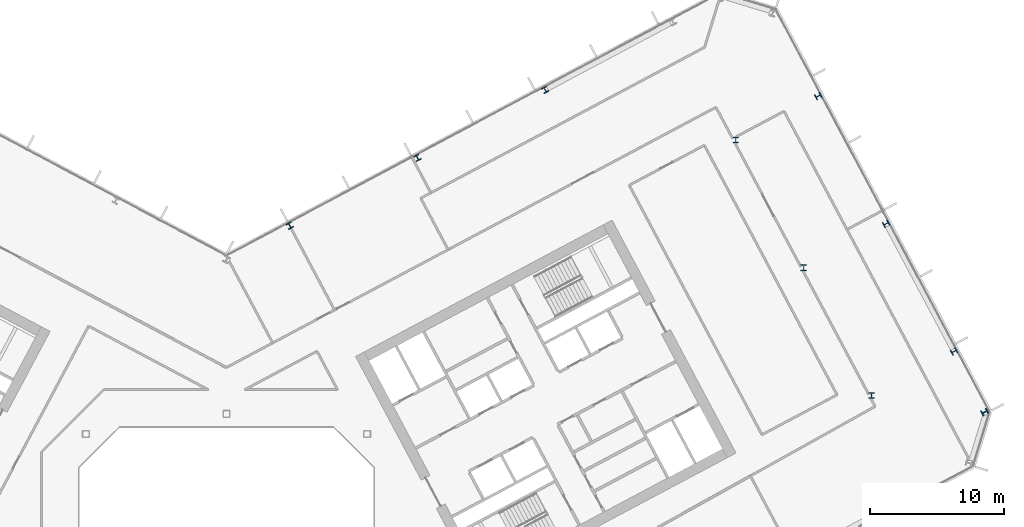
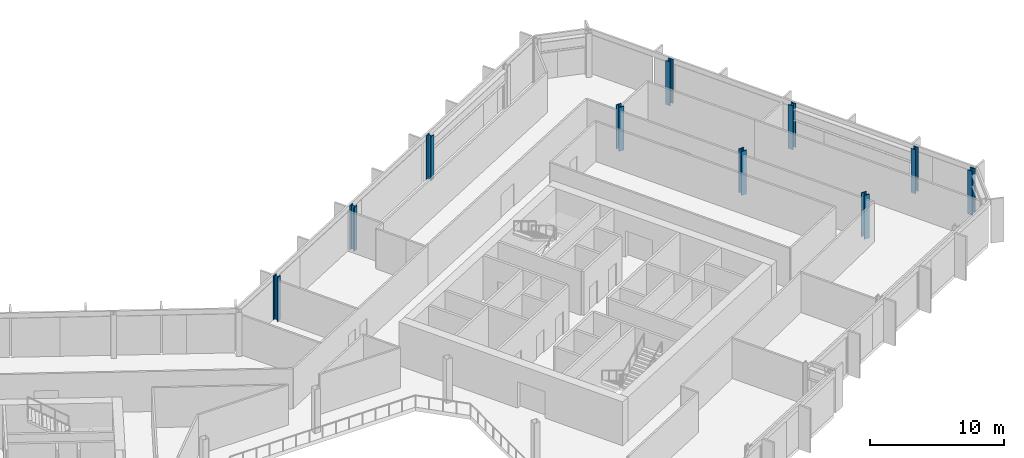
# One storey, part 7 of 28: 10 columns.
"""IFC4 building model written with IfcOpenShell, lengths in metres."""

from ifc_helpers import new_model, si_unit, direction, frame, origin, origin_2d, place, context, subcontext, project, spatial, i_section, extrude, material, material_profile, profile_set, type_object, element, save


model = new_model("IFC4")

# Units and contexts
model_context = context("Model", 3, precision=1e-05, world=origin(), true_north=direction((0.0, 1.0)))
body_context = subcontext(model_context, "Body", "Model", "MODEL_VIEW")
ifc_project = project(units=[si_unit("LENGTHUNIT", "METRE"), si_unit("AREAUNIT", "SQUARE_METRE"), si_unit("VOLUMEUNIT", "CUBIC_METRE"), si_unit("PLANEANGLEUNIT", "RADIAN"), si_unit("MASSUNIT", "GRAM", prefix="KILO")], contexts=[model_context])

# Site, building, storey
site_placement = place(None, origin())
site = spatial("IfcSite", under=ifc_project, at=site_placement, CompositionType="ELEMENT")
building_placement = place(site_placement, origin())
building = spatial("IfcBuilding", under=site, at=building_placement, Name="Cormorant Relay Tower", CompositionType="ELEMENT")
storey_placement = place(building_placement, frame((0.0, 0.0, 126.199951171875)))
storey = spatial("IfcBuildingStorey", under=building, at=storey_placement, Name="L25", CompositionType="ELEMENT", Elevation=126.199951171875)

# Columns
ifc_material_1 = material(Name="Steel ASTM A992 (Fy 345 MPa)", Category="steel")
ifc_material_profile_1 = material_profile(ifc_material_1, i_section(OverallWidth=0.41162109375, OverallDepth=0.434326171875, WebThickness=0.035888671875, FlangeThickness=0.057373046875, FilletRadius=0.01513671875, at=origin_2d()), Name="W360x463")
ifc_profile_set_1 = profile_set([ifc_material_profile_1], Name="Steel ASTM A992 (Fy 345 MPa)")
column_type_1 = type_object("IfcColumnType", Name="Column W360x463", PredefinedType="COLUMN", material=ifc_profile_set_1)
for number, where, z_axis, x_axis, name in (
    (1, (54.321044921875, 16.65087890625, 0.0), (0.0, 0.0, 1.0), (-0.469471562786, 0.882947592859, 0.0), "Column L25-029"),
    (2, (4.72509765625, 26.047119140625, 0.0), (0.0, 0.0, 1.0), (-0.882947592859, -0.469471562786, 0.0), "Column L25-034"),
    (3, (49.2509765625, 26.18701171875, 0.0), (0.0, 0.0, 1.0), (-0.469471562786, 0.882947592859, 0.0), "Column L25-035"),
    (4, (14.260986328125, 31.116943359375, 0.0), (0.0, 0.0, 1.0), (-0.882947592859, -0.469471562786, 0.0), "Column L25-038"),
    (5, (44.180908203125, 35.722900390625, 0.0), (0.0, 0.0, 1.0), (-0.469471562786, 0.882947592859, 0.0), "Column L25-042"),
    (6, (23.7958984375, 36.18798828125, 0.0), (0.0, 0.0, 1.0), (-0.882947592859, -0.469471562786, 0.0), "Column L25-043"),
):
    element("IfcColumn", number, at=place(storey_placement, frame(where, z_axis=z_axis, x_axis=x_axis)), inside=storey, type_object=column_type_1, Name=name, PredefinedType="COLUMN", context=body_context, shape_type="SweptSolid", body=[
        extrude(i_section(OverallWidth=0.41162109375, OverallDepth=0.434326171875, WebThickness=0.035888671875, FlangeThickness=0.057373046875, FilletRadius=0.01513671875, at=origin_2d()), origin(), (0.0, 0.0, 1.0), 4.0),
    ])
ifc_material_2 = material(Name="Steel ASTM A992 (Fy 345 MPa)", Category="steel")
ifc_material_profile_2 = material_profile(ifc_material_2, i_section(OverallWidth=0.42431640625, OverallDepth=0.47509765625, WebThickness=0.0478515625, FlangeThickness=0.0771484375, FilletRadius=0.014892578125, at=origin_2d()), Name="W360x634")
ifc_profile_set_2 = profile_set([ifc_material_profile_2], Name="Steel ASTM A992 (Fy 345 MPa)")
column_type_2 = type_object("IfcColumnType", Name="Column W360x634", PredefinedType="COLUMN", material=ifc_profile_set_2)
for number, where, z_axis, x_axis, name in (
    (7, (56.60791015625, 12.1298828125, 0.0), (0.0, 0.0, 1.0), (-0.469471562786, 0.882947592859, 0.0), "Column L25-026"),
    (8, (48.157958984375, 13.3740234375, 0.0), (0.0, 0.0, 1.0), (1.0, 0.0, 0.0), "Column L25-027"),
    (9, (43.087890625, 22.909912109375, 0.0), (0.0, 0.0, 1.0), (1.0, 0.0, 0.0), "Column L25-031"),
    (10, (38.01806640625, 32.446044921875, 0.0), (0.0, 0.0, 1.0), (1.0, 0.0, 0.0), "Column L25-039"),
):
    element("IfcColumn", number, at=place(storey_placement, frame(where, z_axis=z_axis, x_axis=x_axis)), inside=storey, type_object=column_type_2, Name=name, PredefinedType="COLUMN", context=body_context, shape_type="SweptSolid", body=[
        extrude(i_section(OverallWidth=0.42431640625, OverallDepth=0.47509765625, WebThickness=0.0478515625, FlangeThickness=0.0771484375, FilletRadius=0.014892578125, at=origin_2d()), origin(), (0.0, 0.0, 1.0), 4.0),
    ])

save(model, "model.ifc")
